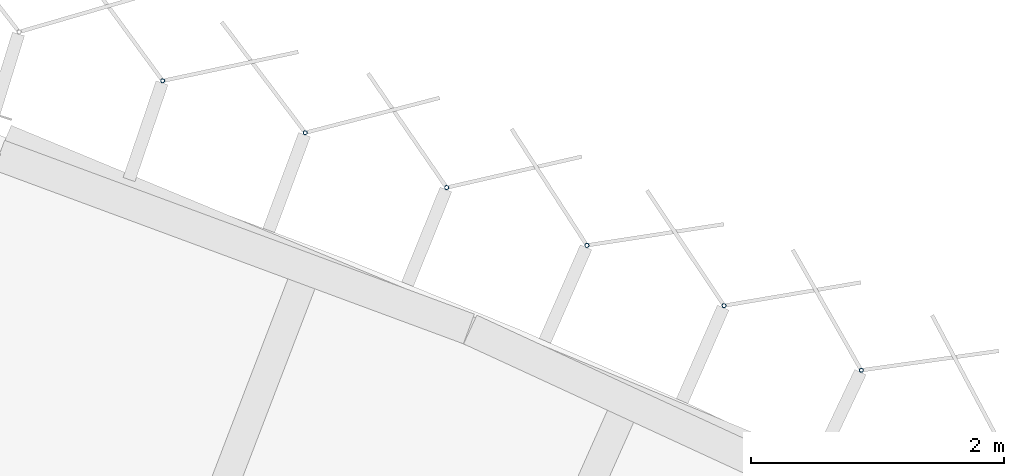
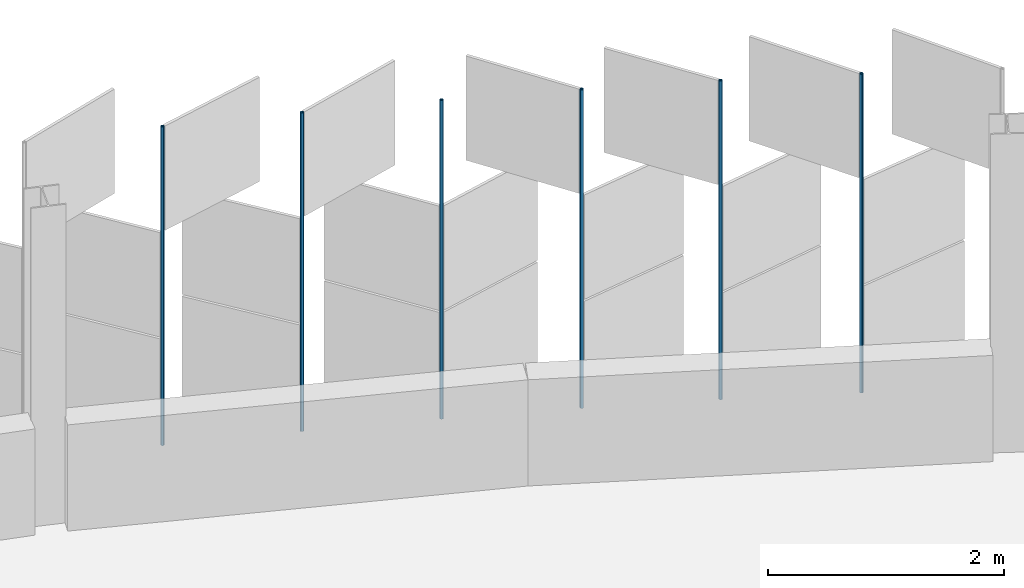
# One storey, part 159 of 198: 6 discrete accessories.
"""IFC4 building model written with IfcOpenShell, lengths in metres."""

from ifc_helpers import new_model, si_unit, direction, frame, origin, origin_2d, place, context, subcontext, project, spatial, hollow_circle, extrude, material, material_profile, profile_set, type_object, element, save


model = new_model("IFC4")

# Units and contexts
model_context = context("Model", 3, precision=1e-05, world=origin(), true_north=direction((0.0, 1.0)))
body_context = subcontext(model_context, "Body", "Model", "MODEL_VIEW")
ifc_project = project(units=[si_unit("LENGTHUNIT", "METRE"), si_unit("AREAUNIT", "SQUARE_METRE"), si_unit("VOLUMEUNIT", "CUBIC_METRE"), si_unit("PLANEANGLEUNIT", "RADIAN"), si_unit("MASSUNIT", "GRAM", prefix="KILO")], contexts=[model_context])

# Site, building, storey
site_placement = place(None, origin())
site = spatial("IfcSite", under=ifc_project, at=site_placement, CompositionType="ELEMENT")
building_placement = place(site_placement, origin())
building = spatial("IfcBuilding", under=site, at=building_placement, Name="Parallax Yard Mobility Hub", CompositionType="ELEMENT")
storey_placement = place(building_placement, frame((0.0, 0.0, 6.60009765625)))
storey = spatial("IfcBuildingStorey", under=building, at=storey_placement, Name="L02", CompositionType="ELEMENT", Elevation=6.60009765625)

# Discrete accessories
ifc_material = material(Name="Steel ASTM A500 Gr C, hot-dip galvanised", Category="steel")
ifc_material_profile = material_profile(ifc_material, hollow_circle(Radius=0.016845703125, WallThickness=0.003173828125, at=origin_2d()), Name="CHS 33.7x3.2")
ifc_profile_set = profile_set([ifc_material_profile], Name="Steel ASTM A500 Gr C, hot-dip galvanised")
discrete_accessory_type = type_object("IfcDiscreteAccessoryType", Name="Hinge post CHS 33.7x3.2", PredefinedType="BRACKET", material=ifc_profile_set)
for number, where, z_axis, x_axis, name in (
    (1, (195.631103515625, 138.040771484375, 0.0), (0.0, 0.0, 1.0), (1.0, 0.0, 0.0), "Hinge post bay 48.2 level L02"),
    (2, (194.5458984375, 138.551513671875, 0.0), (0.0, 0.0, 1.0), (1.0, 0.0, 0.0), "Hinge post bay 48.3 level L02"),
    (3, (193.461181640625, 139.0283203125, 0.0), (0.0, 0.0, 1.0), (1.0, 0.0, 0.0), "Hinge post bay 48.4 level L02"),
    (4, (192.35205078125, 139.4853515625, 0.0), (0.0, 0.0, 1.0), (1.0, 0.0, 0.0), "Hinge post bay 48.5 level L02"),
    (5, (191.233642578125, 139.919189453125, 0.0), (0.0, 0.0, 1.0), (1.0, 0.0, 0.0), "Hinge post bay 48.6 level L02"),
    (6, (190.1064453125, 140.32958984375, 0.0), (0.0, 0.0, 1.0), (1.0, 0.0, 0.0), "Hinge post bay 48.7 level L02"),
):
    element("IfcDiscreteAccessory", number, at=place(storey_placement, frame(where, z_axis=z_axis, x_axis=x_axis)), inside=storey, type_object=discrete_accessory_type, Name=name, PredefinedType="BRACKET", context=body_context, shape_type="SweptSolid", body=[
        extrude(hollow_circle(Radius=0.016845703125, WallThickness=0.003173828125, at=origin_2d()), origin(), (0.0, 0.0, 1.0), 3.2998046875),
    ])

save(model, "model.ifc")
